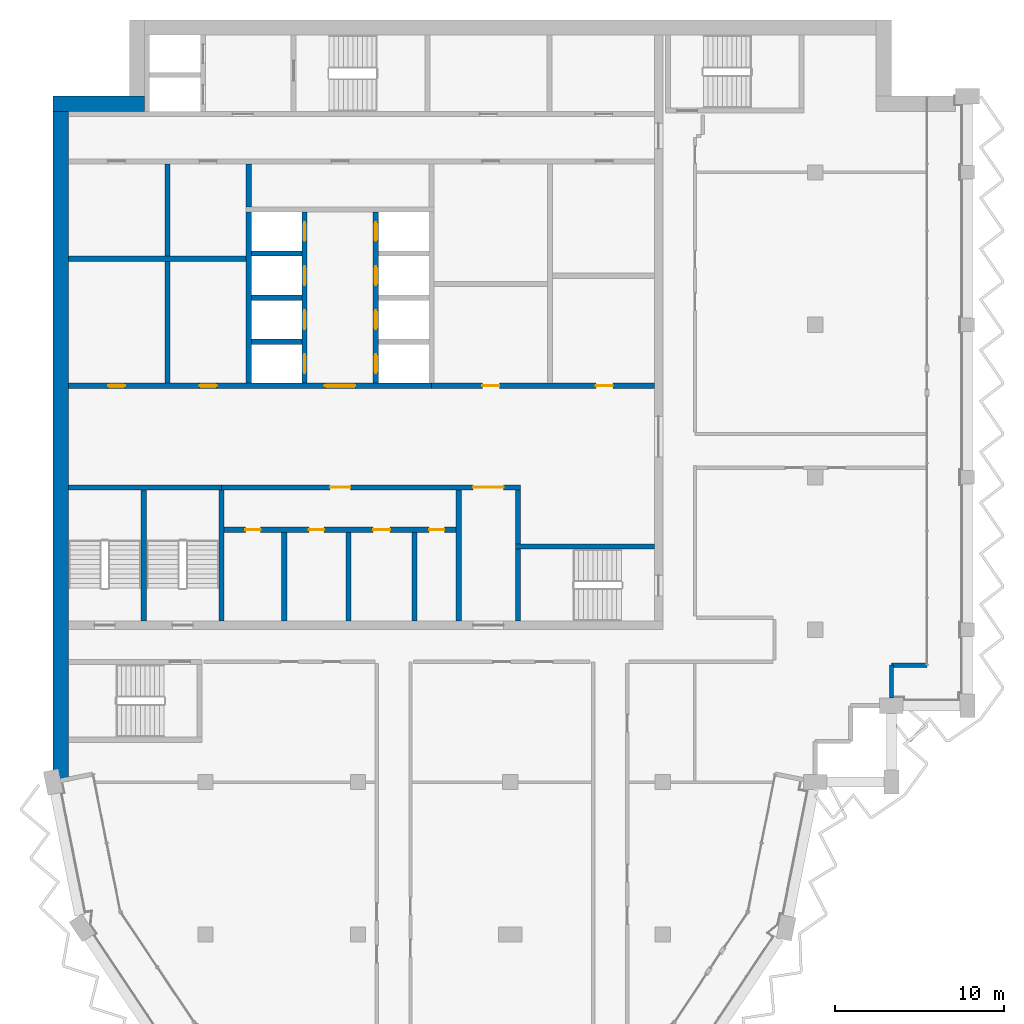
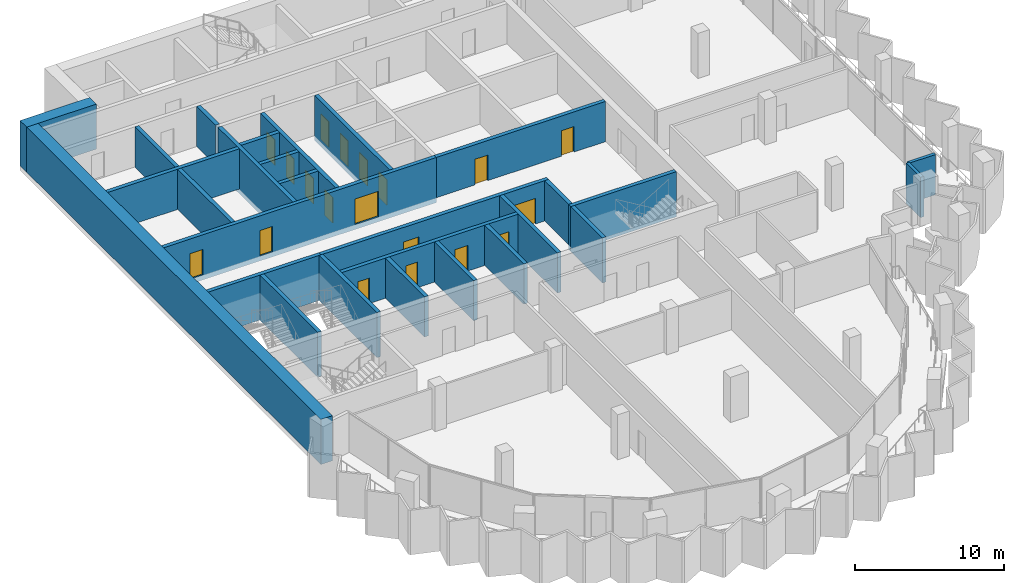
# One storey, part 8 of 14: 27 walls, 19 doors, 19 openings.
"""IFC4 building model written with IfcOpenShell, lengths in metres."""

from ifc_helpers import new_model, si_unit, direction, frame, frame_2d, origin, place, context, subcontext, project, spatial, rectangle, extrude, material, layer, layer_set, type_object, element, fill, save


model = new_model("IFC4")

# Units and contexts
model_context = context("Model", 3, precision=1e-05, world=origin(), true_north=direction((0.0, 1.0)))
body_context = subcontext(model_context, "Body", "Model", "MODEL_VIEW")
ifc_project = project(units=[si_unit("LENGTHUNIT", "METRE"), si_unit("AREAUNIT", "SQUARE_METRE"), si_unit("VOLUMEUNIT", "CUBIC_METRE"), si_unit("PLANEANGLEUNIT", "RADIAN"), si_unit("MASSUNIT", "GRAM", prefix="KILO")], contexts=[model_context])

# Site, building, storey
site_placement = place(None, origin())
site = spatial("IfcSite", under=ifc_project, at=site_placement, CompositionType="ELEMENT")
building_placement = place(site_placement, origin())
building = spatial("IfcBuilding", under=site, at=building_placement, Name="Hunhe Ridgeline Campus", CompositionType="ELEMENT")
storey_placement = place(building_placement, frame((0.0, 0.0, 291.89990234375)))
storey = spatial("IfcBuildingStorey", under=building, at=storey_placement, Name="L75", CompositionType="ELEMENT", Elevation=291.89990234375)

# Wall, openings, doors
ifc_material_1 = material(Name="Masonry concrete blockwork", Category="masonry")
ifc_layer_1 = layer(ifc_material_1, 0.300048828125)
ifc_layer_set_1 = layer_set([ifc_layer_1], Name="Core room partition 300 concrete block")
wall_type_1 = type_object("IfcWallType", Name="Core room partition 300 concrete block", PredefinedType="PARTITIONING", material=ifc_layer_set_1)
wall_1_placement = place(storey_placement, frame((10.10009765625, 68.89990234375, 0.0), z_axis=(0.0, 0.0, 1.0), x_axis=(1.0, 0.0, 0.0)))
wall_1 = element("IfcWall", 1, at=wall_1_placement, inside=storey, type_object=wall_type_1, Name="L75 core partition 5", PredefinedType="PARTITIONING", context=body_context, shape_type="SweptSolid", body=[
    extrude(rectangle(XDim=13.699951171875, YDim=0.300048828125, at=frame_2d((6.85009765625, 0.0))), origin(), (0.0, 0.0, 1.0), 3.300048828125),
])
opening_1_placement = place(wall_1_placement, frame((1.25, 0.0, 0.0)))
opening_1 = element("IfcOpeningElement", 2, at=opening_1_placement, cuts=wall_1, Name="Opening CD8", PredefinedType="OPENING", context=body_context, shape_type="SweptSolid", body=[
    extrude(rectangle(XDim=0.89990234375, YDim=2.10009765625, at=frame_2d((0.449951171875, 1.050048828125))), frame((0.0, 0.14990234375, 0.0), z_axis=(0.0, -1.0, 0.0), x_axis=(1.0, 0.0, 0.0)), (0.0, 0.0, 1.0), 0.300048828125),
])
opening_2_placement = place(wall_1_placement, frame((5.0, 0.0, 0.0)))
opening_2 = element("IfcOpeningElement", 3, at=opening_2_placement, cuts=wall_1, Name="Opening CD9", PredefinedType="OPENING", context=body_context, shape_type="SweptSolid", body=[
    extrude(rectangle(XDim=0.89990234375, YDim=2.10009765625, at=frame_2d((0.449951171875, 1.050048828125))), frame((0.0, 0.14990234375, 0.0), z_axis=(0.0, -1.0, 0.0), x_axis=(1.0, 0.0, 0.0)), (0.0, 0.0, 1.0), 0.300048828125),
])
opening_3_placement = place(wall_1_placement, frame((8.800048828125, 0.0, 0.0)))
opening_3 = element("IfcOpeningElement", 4, at=opening_3_placement, cuts=wall_1, Name="Opening CD10", PredefinedType="OPENING", context=body_context, shape_type="SweptSolid", body=[
    extrude(rectangle(XDim=1.0, YDim=2.10009765625, at=frame_2d((0.5, 1.050048828125))), frame((0.0, 0.14990234375, 0.0), z_axis=(0.0, -1.0, 0.0), x_axis=(1.0, 0.0, 0.0)), (0.0, 0.0, 1.0), 0.300048828125),
])
opening_4_placement = place(wall_1_placement, frame((12.10009765625, 0.0, 0.0)))
opening_4 = element("IfcOpeningElement", 5, at=opening_4_placement, cuts=wall_1, Name="Opening CD11", PredefinedType="OPENING", context=body_context, shape_type="SweptSolid", body=[
    extrude(rectangle(XDim=0.89990234375, YDim=2.10009765625, at=frame_2d((0.449951171875, 1.050048828125))), frame((0.0, 0.14990234375, 0.0), z_axis=(0.0, -1.0, 0.0), x_axis=(1.0, 0.0, 0.0)), (0.0, 0.0, 1.0), 0.300048828125),
])
ifc_material_2 = material(Name="Solid core timber door leaf", Category="wood")
door_type_1 = type_object("IfcDoorType", Name="Timber door 1000x2100", OperationType="SINGLE_SWING_LEFT", PredefinedType="DOOR", material=ifc_material_2)
door_1_placement = place(opening_3_placement, frame((1.0, 0.0, 0.0), z_axis=(0.0, 0.0, 1.0), x_axis=(-1.0, 0.0, 0.0)))
door_1 = element("IfcDoor", 6, at=door_1_placement, inside=storey, type_object=door_type_1, Name="L75 door WC3", OperationType="SINGLE_SWING_LEFT", OverallHeight=2.10009765625, OverallWidth=1.0, PredefinedType="DOOR", context=body_context, shape_type="SweptSolid", body=[
    extrude(rectangle(XDim=1.0, YDim=2.10009765625, at=frame_2d((0.5, 1.050048828125))), frame((0.0, 0.02490234375, 0.0), z_axis=(0.0, -1.0, 0.0), x_axis=(1.0, 0.0, 0.0)), (0.0, 0.0, 1.0), 0.050048828125),
])
fill(opening_3, door_1)
door_type_2 = type_object("IfcDoorType", Name="Timber door 900x2100", OperationType="SINGLE_SWING_LEFT", PredefinedType="DOOR", material=ifc_material_2)
door_2_placement = place(opening_1_placement, frame((0.89990234375, 0.0, 0.0), z_axis=(0.0, 0.0, 1.0), x_axis=(-1.0, 0.0, 0.0)))
door_2 = element("IfcDoor", 7, at=door_2_placement, inside=storey, type_object=door_type_2, Name="L75 door WC1", OperationType="SINGLE_SWING_LEFT", OverallHeight=2.10009765625, OverallWidth=0.89990234375, PredefinedType="DOOR", context=body_context, shape_type="SweptSolid", body=[
    extrude(rectangle(XDim=0.89990234375, YDim=2.10009765625, at=frame_2d((0.449951171875, 1.050048828125))), frame((0.0, 0.02490234375, 0.0), z_axis=(0.0, -1.0, 0.0), x_axis=(1.0, 0.0, 0.0)), (0.0, 0.0, 1.0), 0.050048828125),
])
fill(opening_1, door_2)
door_3_placement = place(opening_2_placement, frame((0.89990234375, 0.0, 0.0), z_axis=(0.0, 0.0, 1.0), x_axis=(-1.0, 0.0, 0.0)))
door_3 = element("IfcDoor", 8, at=door_3_placement, inside=storey, type_object=door_type_2, Name="L75 door WC2", OperationType="SINGLE_SWING_RIGHT", OverallHeight=2.10009765625, OverallWidth=0.89990234375, PredefinedType="DOOR", context=body_context, shape_type="SweptSolid", body=[
    extrude(rectangle(XDim=0.89990234375, YDim=2.10009765625, at=frame_2d((0.449951171875, 1.050048828125))), frame((0.0, 0.02490234375, 0.0), z_axis=(0.0, -1.0, 0.0), x_axis=(1.0, 0.0, 0.0)), (0.0, 0.0, 1.0), 0.050048828125),
])
fill(opening_2, door_3)
door_4_placement = place(opening_4_placement, frame((0.89990234375, 0.0, 0.0), z_axis=(0.0, 0.0, 1.0), x_axis=(-1.0, 0.0, 0.0)))
door_4 = element("IfcDoor", 9, at=door_4_placement, inside=storey, type_object=door_type_2, Name="L75 door WC4", OperationType="SINGLE_SWING_RIGHT", OverallHeight=2.10009765625, OverallWidth=0.89990234375, PredefinedType="DOOR", context=body_context, shape_type="SweptSolid", body=[
    extrude(rectangle(XDim=0.89990234375, YDim=2.10009765625, at=frame_2d((0.449951171875, 1.050048828125))), frame((0.0, 0.02490234375, 0.0), z_axis=(0.0, -1.0, 0.0), x_axis=(1.0, 0.0, 0.0)), (0.0, 0.0, 1.0), 0.050048828125),
])
fill(opening_4, door_4)

wall_2_placement = place(storey_placement, frame((9.949951171875, 71.39990234375, 0.0), z_axis=(0.0, 0.0, 1.0), x_axis=(1.0, 0.0, 0.0)))
wall_2 = element("IfcWall", 10, at=wall_2_placement, inside=storey, type_object=wall_type_1, Name="L75 core partition 7", PredefinedType="PARTITIONING", context=body_context, shape_type="SweptSolid", body=[
    extrude(rectangle(XDim=17.650146484375, YDim=0.300048828125, at=frame_2d((8.8251953125, 0.0))), origin(), (0.0, 0.0, 1.0), 3.300048828125),
])
opening_5_placement = place(wall_2_placement, frame((14.85009765625, 0.0, 0.0)))
opening_5 = element("IfcOpeningElement", 11, at=opening_5_placement, cuts=wall_2, Name="Opening CD7", PredefinedType="OPENING", context=body_context, shape_type="SweptSolid", body=[
    extrude(rectangle(XDim=1.800048828125, YDim=2.10009765625, at=frame_2d((0.89990234375, 1.050048828125))), frame((0.0, 0.14990234375, 0.0), z_axis=(0.0, -1.0, 0.0), x_axis=(1.0, 0.0, 0.0)), (0.0, 0.0, 1.0), 0.300048828125),
])
opening_6_placement = place(wall_2_placement, frame((6.39990234375, 0.0, 0.0)))
opening_6 = element("IfcOpeningElement", 12, at=opening_6_placement, cuts=wall_2, Name="Opening CD37", PredefinedType="OPENING", context=body_context, shape_type="SweptSolid", body=[
    extrude(rectangle(XDim=1.199951171875, YDim=2.10009765625, at=frame_2d((0.60009765625, 1.050048828125))), frame((0.0, 0.14990234375, 0.0), z_axis=(0.0, -1.0, 0.0), x_axis=(1.0, 0.0, 0.0)), (0.0, 0.0, 1.0), 0.300048828125),
])
ifc_material_3 = material(Name="Anodised aluminium and glass", Category="aluminium")
door_type_3 = type_object("IfcDoorType", Name="Glazed double door 1800x2100", OperationType="DOUBLE_DOOR_SINGLE_SWING", PredefinedType="DOOR", material=ifc_material_3)
door_5_placement = place(opening_5_placement, origin())
door_5 = element("IfcDoor", 13, at=door_5_placement, inside=storey, type_object=door_type_3, Name="L75 door VEST-HALL", OperationType="DOUBLE_DOOR_SINGLE_SWING", OverallHeight=2.10009765625, OverallWidth=1.800048828125, PredefinedType="DOOR", context=body_context, shape_type="SweptSolid", body=[
    extrude(rectangle(XDim=1.800048828125, YDim=2.10009765625, at=frame_2d((0.89990234375, 1.050048828125))), frame((0.0, 0.02490234375, 0.0), z_axis=(0.0, -1.0, 0.0), x_axis=(1.0, 0.0, 0.0)), (0.0, 0.0, 1.0), 0.050048828125),
])
fill(opening_5, door_5)
door_type_4 = type_object("IfcDoorType", Name="Timber door 1200x2100", OperationType="SINGLE_SWING_LEFT", PredefinedType="DOOR", material=ifc_material_2)
door_6_placement = place(opening_6_placement, origin())
door_6 = element("IfcDoor", 14, at=door_6_placement, inside=storey, type_object=door_type_4, Name="L75 door WCL1-HALL", OperationType="SINGLE_SWING_RIGHT", OverallHeight=2.10009765625, OverallWidth=1.199951171875, PredefinedType="DOOR", context=body_context, shape_type="SweptSolid", body=[
    extrude(rectangle(XDim=1.199951171875, YDim=2.10009765625, at=frame_2d((0.60009765625, 1.050048828125))), frame((0.0, 0.02490234375, 0.0), z_axis=(0.0, -1.0, 0.0), x_axis=(1.0, 0.0, 0.0)), (0.0, 0.0, 1.0), 0.050048828125),
])
fill(opening_6, door_6)

wall_3_placement = place(storey_placement, frame((22.35009765625, 77.39990234375, 0.0), z_axis=(0.0, 0.0, 1.0), x_axis=(1.0, 0.0, 0.0)))
wall_3 = element("IfcWall", 15, at=wall_3_placement, inside=storey, type_object=wall_type_1, Name="L75 core partition 9", PredefinedType="PARTITIONING", context=body_context, shape_type="SweptSolid", body=[
    extrude(rectangle(XDim=13.14990234375, YDim=0.300048828125, at=frame_2d((6.574951171875, 0.0))), origin(), (0.0, 0.0, 1.0), 3.300048828125),
])
opening_7_placement = place(wall_3_placement, frame((3.0, 0.0, 0.0)))
opening_7 = element("IfcOpeningElement", 16, at=opening_7_placement, cuts=wall_3, Name="Opening CD32", PredefinedType="OPENING", context=body_context, shape_type="SweptSolid", body=[
    extrude(rectangle(XDim=1.0, YDim=2.10009765625, at=frame_2d((0.5, 1.050048828125))), frame((0.0, 0.14990234375, 0.0), z_axis=(0.0, -1.0, 0.0), x_axis=(1.0, 0.0, 0.0)), (0.0, 0.0, 1.0), 0.300048828125),
])
opening_8_placement = place(wall_3_placement, frame((9.699951171875, 0.0, 0.0)))
opening_8 = element("IfcOpeningElement", 17, at=opening_8_placement, cuts=wall_3, Name="Opening CD42", PredefinedType="OPENING", context=body_context, shape_type="SweptSolid", body=[
    extrude(rectangle(XDim=1.0, YDim=2.10009765625, at=frame_2d((0.5, 1.050048828125))), frame((0.0, 0.14990234375, 0.0), z_axis=(0.0, -1.0, 0.0), x_axis=(1.0, 0.0, 0.0)), (0.0, 0.0, 1.0), 0.300048828125),
])
door_7_placement = place(opening_7_placement, origin())
door_7 = element("IfcDoor", 18, at=door_7_placement, inside=storey, type_object=door_type_1, Name="L75 door ES0", OperationType="SINGLE_SWING_RIGHT", OverallHeight=2.10009765625, OverallWidth=1.0, PredefinedType="DOOR", context=body_context, shape_type="SweptSolid", body=[
    extrude(rectangle(XDim=1.0, YDim=2.10009765625, at=frame_2d((0.5, 1.050048828125))), frame((0.0, 0.02490234375, 0.0), z_axis=(0.0, -1.0, 0.0), x_axis=(1.0, 0.0, 0.0)), (0.0, 0.0, 1.0), 0.050048828125),
])
fill(opening_7, door_7)
door_8_placement = place(opening_8_placement, origin())
door_8 = element("IfcDoor", 19, at=door_8_placement, inside=storey, type_object=door_type_1, Name="L75 door ES2", OperationType="SINGLE_SWING_RIGHT", OverallHeight=2.10009765625, OverallWidth=1.0, PredefinedType="DOOR", context=body_context, shape_type="SweptSolid", body=[
    extrude(rectangle(XDim=1.0, YDim=2.10009765625, at=frame_2d((0.5, 1.050048828125))), frame((0.0, 0.02490234375, 0.0), z_axis=(0.0, -1.0, 0.0), x_axis=(1.0, 0.0, 0.0)), (0.0, 0.0, 1.0), 0.050048828125),
])
fill(opening_8, door_8)

# Walls
wall_4_placement = place(storey_placement, frame((0.89990234375, 84.89990234375, 0.0), z_axis=(0.0, 0.0, 1.0), x_axis=(1.0, 0.0, 0.0)))
element("IfcWall", 20, at=wall_4_placement, inside=storey, type_object=wall_type_1, Name="L75 core partition 16", PredefinedType="PARTITIONING", context=body_context, shape_type="SweptSolid", body=[
    extrude(rectangle(XDim=10.5, YDim=0.300048828125, at=frame_2d((5.25, 0.0))), origin(), (0.0, 0.0, 1.0), 3.300048828125),
])
wall_5_placement = place(storey_placement, frame((6.75, 77.550048828125, 0.0), z_axis=(0.0, 0.0, 1.0), x_axis=(0.0, 1.0, 0.0)))
element("IfcWall", 21, at=wall_5_placement, inside=storey, type_object=wall_type_1, Name="L75 core partition 26", PredefinedType="PARTITIONING", context=body_context, shape_type="SweptSolid", body=[
    extrude(rectangle(XDim=12.949951171875, YDim=0.300048828125, at=frame_2d((6.47509765625, 0.0))), origin(), (0.0, 0.0, 1.0), 3.300048828125),
])
wall_6_placement = place(storey_placement, frame((11.550048828125, 87.949951171875, 0.0), z_axis=(0.0, 0.0, 1.0), x_axis=(0.0, 1.0, 0.0)))
element("IfcWall", 22, at=wall_6_placement, inside=storey, type_object=wall_type_1, Name="L75 core partition 31", PredefinedType="PARTITIONING", context=body_context, shape_type="SweptSolid", body=[
    extrude(rectangle(XDim=2.550048828125, YDim=0.300048828125, at=frame_2d((1.27490234375, 0.0))), origin(), (0.0, 0.0, 1.0), 3.300048828125),
])
for number, where, z_axis, x_axis, name in (
    (23, (13.64990234375, 63.5, 0.0), (0.0, 0.0, 1.0), (0.0, 1.0, 0.0), "L75 core partition 32"),
    (24, (17.449951171875, 63.5, 0.0), (0.0, 0.0, 1.0), (0.0, 1.0, 0.0), "L75 core partition 35"),
    (25, (21.35009765625, 63.5, 0.0), (0.0, 0.0, 1.0), (0.0, 1.0, 0.0), "L75 core partition 37"),
):
    element("IfcWall", number, at=place(storey_placement, frame(where, z_axis=z_axis, x_axis=x_axis)), inside=storey, type_object=wall_type_1, Name=name, PredefinedType="PARTITIONING", context=body_context, shape_type="SweptSolid", body=[
        extrude(rectangle(XDim=5.25, YDim=0.300048828125, at=frame_2d((2.625, 0.0))), origin(), (0.0, 0.0, 1.0), 3.300048828125),
    ])
wall_7_placement = place(storey_placement, frame((23.949951171875, 63.5, 0.0), z_axis=(0.0, 0.0, 1.0), x_axis=(0.0, 1.0, 0.0)))
element("IfcWall", 26, at=wall_7_placement, inside=storey, type_object=wall_type_1, Name="L75 core partition 41", PredefinedType="PARTITIONING", context=body_context, shape_type="SweptSolid", body=[
    extrude(rectangle(XDim=7.75, YDim=0.300048828125, at=frame_2d((3.875, 0.0))), origin(), (0.0, 0.0, 1.0), 3.300048828125),
])
wall_8_placement = place(storey_placement, frame((27.449951171875, 68.050048828125, 0.0), z_axis=(0.0, 0.0, 1.0), x_axis=(0.0, 1.0, 0.0)))
element("IfcWall", 27, at=wall_8_placement, inside=storey, type_object=wall_type_1, Name="L75 core partition 43", PredefinedType="PARTITIONING", context=body_context, shape_type="SweptSolid", body=[
    extrude(rectangle(XDim=3.199951171875, YDim=0.300048828125, at=frame_2d((1.60009765625, 0.0))), origin(), (0.0, 0.0, 1.0), 3.300048828125),
])
ifc_material_4 = material(Name="Concrete C30", Category="concrete")
ifc_layer_2 = layer(ifc_material_4, 0.25)
ifc_layer_set_2 = layer_set([ifc_layer_2], Name="Corner return wall 250 Concrete C30")
wall_type_2 = type_object("IfcWallType", Name="Corner return wall 250 Concrete C30", PredefinedType="SOLIDWALL", material=ifc_layer_set_2)
wall_9_placement = place(storey_placement, frame((49.4990234375, 58.949951171875, 0.0), z_axis=(0.0, 0.0, 1.0), x_axis=(0.000250281559, 0.99999996868, 0.0)))
element("IfcWall", 28, at=wall_9_placement, inside=storey, type_object=wall_type_2, Name="Corner return wall 7", PredefinedType="SOLIDWALL", context=body_context, shape_type="SweptSolid", body=[
    extrude(rectangle(XDim=1.950927734375, YDim=0.25, at=frame_2d((0.9755859375, 0.0))), origin(), (0.0, 0.0, 1.0), 3.300048828125),
])
wall_10_placement = place(storey_placement, frame((49.49951171875, 60.90087890625, 0.0), z_axis=(0.0, 0.0, 1.0), x_axis=(1.0, 0.0, 0.0)))
element("IfcWall", 29, at=wall_10_placement, inside=storey, type_object=wall_type_2, Name="Corner return wall 8", PredefinedType="SOLIDWALL", context=body_context, shape_type="SweptSolid", body=[
    extrude(rectangle(XDim=2.099609375, YDim=0.25, at=frame_2d((1.0498046875, 0.0))), origin(), (0.0, 0.0, 1.0), 3.300048828125),
])

# Wall, openings, doors
ifc_material_5 = material(Name="Concrete C50", Category="concrete")
ifc_layer_3 = layer(ifc_material_5, 0.300048828125)
ifc_layer_set_3 = layer_set([ifc_layer_3], Name="Shaft wall 300 reinforced concrete C50")
wall_type_3 = type_object("IfcWallType", Name="Shaft wall 300 reinforced concrete C50", PredefinedType="SOLIDWALL", material=ifc_layer_set_3)
wall_11_placement = place(storey_placement, frame((0.89990234375, 77.39990234375, -0.39990234375), z_axis=(0.0, 0.0, 1.0), x_axis=(1.0, 0.0, 0.0)))
wall_11 = element("IfcWall", 30, at=wall_11_placement, inside=storey, type_object=wall_type_3, Name="L75 core wall 8", PredefinedType="SOLIDWALL", context=body_context, shape_type="SweptSolid", body=[
    extrude(rectangle(XDim=21.4501953125, YDim=0.300048828125, at=frame_2d((10.72509765625, 0.0))), origin(), (0.0, 0.0, 1.0), 3.699951171875),
])
opening_9_placement = place(wall_11_placement, frame((15.14990234375, 0.0, 0.39990234375)))
opening_9 = element("IfcOpeningElement", 31, at=opening_9_placement, cuts=wall_11, Name="Opening CD38", PredefinedType="OPENING", context=body_context, shape_type="SweptSolid", body=[
    extrude(rectangle(XDim=1.800048828125, YDim=2.10009765625, at=frame_2d((0.89990234375, 1.050048828125))), frame((0.0, 0.14990234375, 0.0), z_axis=(0.0, -1.0, 0.0), x_axis=(1.0, 0.0, 0.0)), (0.0, 0.0, 1.0), 0.300048828125),
])
opening_10_placement = place(wall_11_placement, frame((2.35009765625, 0.0, 0.39990234375)))
opening_10 = element("IfcOpeningElement", 32, at=opening_10_placement, cuts=wall_11, Name="Opening CD39", PredefinedType="OPENING", context=body_context, shape_type="SweptSolid", body=[
    extrude(rectangle(XDim=1.0, YDim=2.10009765625, at=frame_2d((0.5, 1.050048828125))), frame((0.0, 0.14990234375, 0.0), z_axis=(0.0, -1.0, 0.0), x_axis=(1.0, 0.0, 0.0)), (0.0, 0.0, 1.0), 0.300048828125),
])
opening_11_placement = place(wall_11_placement, frame((7.75, 0.0, 0.39990234375)))
opening_11 = element("IfcOpeningElement", 33, at=opening_11_placement, cuts=wall_11, Name="Opening CD41", PredefinedType="OPENING", context=body_context, shape_type="SweptSolid", body=[
    extrude(rectangle(XDim=1.0, YDim=2.10009765625, at=frame_2d((0.5, 1.050048828125))), frame((0.0, 0.14990234375, 0.0), z_axis=(0.0, -1.0, 0.0), x_axis=(1.0, 0.0, 0.0)), (0.0, 0.0, 1.0), 0.300048828125),
])
ifc_material_6 = material(Name="Hollow metal fire door leaf")
door_type_5 = type_object("IfcDoorType", Name="Lobby door 1800x2100 FD60", OperationType="SINGLE_SWING_LEFT", PredefinedType="DOOR", material=ifc_material_6)
door_9_placement = place(opening_9_placement, frame((1.800048828125, 0.0, 0.0), z_axis=(0.0, 0.0, 1.0), x_axis=(-1.0, 0.0, 0.0)))
door_9 = element("IfcDoor", 34, at=door_9_placement, inside=storey, type_object=door_type_5, Name="L75 door LOB-HR", OperationType="SINGLE_SWING_RIGHT", OverallHeight=2.10009765625, OverallWidth=1.800048828125, PredefinedType="DOOR", context=body_context, shape_type="SweptSolid", body=[
    extrude(rectangle(XDim=1.800048828125, YDim=2.10009765625, at=frame_2d((0.89990234375, 1.050048828125))), frame((0.0, 0.02490234375, 0.0), z_axis=(0.0, -1.0, 0.0), x_axis=(1.0, 0.0, 0.0)), (0.0, 0.0, 1.0), 0.050048828125),
])
fill(opening_9, door_9)
door_10_placement = place(opening_10_placement, origin())
door_10 = element("IfcDoor", 35, at=door_10_placement, inside=storey, type_object=door_type_1, Name="L75 door VD-LR0", OperationType="SINGLE_SWING_LEFT", OverallHeight=2.10009765625, OverallWidth=1.0, PredefinedType="DOOR", context=body_context, shape_type="SweptSolid", body=[
    extrude(rectangle(XDim=1.0, YDim=2.10009765625, at=frame_2d((0.5, 1.050048828125))), frame((0.0, 0.02490234375, 0.0), z_axis=(0.0, -1.0, 0.0), x_axis=(1.0, 0.0, 0.0)), (0.0, 0.0, 1.0), 0.050048828125),
])
fill(opening_10, door_10)
door_11_placement = place(opening_11_placement, origin())
door_11 = element("IfcDoor", 36, at=door_11_placement, inside=storey, type_object=door_type_1, Name="L75 door VD-LR2", OperationType="SINGLE_SWING_LEFT", OverallHeight=2.10009765625, OverallWidth=1.0, PredefinedType="DOOR", context=body_context, shape_type="SweptSolid", body=[
    extrude(rectangle(XDim=1.0, YDim=2.10009765625, at=frame_2d((0.5, 1.050048828125))), frame((0.0, 0.02490234375, 0.0), z_axis=(0.0, -1.0, 0.0), x_axis=(1.0, 0.0, 0.0)), (0.0, 0.0, 1.0), 0.050048828125),
])
fill(opening_11, door_11)

# Walls
for number, where, z_axis, x_axis, name in (
    (37, (11.699951171875, 80.0, -0.39990234375), (0.0, 0.0, 1.0), (1.0, 0.0, 0.0), "L75 core wall 10"),
    (38, (11.699951171875, 82.60009765625, -0.39990234375), (0.0, 0.0, 1.0), (1.0, 0.0, 0.0), "L75 core wall 12"),
    (39, (11.699951171875, 85.199951171875, -0.39990234375), (0.0, 0.0, 1.0), (1.0, 0.0, 0.0), "L75 core wall 17"),
):
    element("IfcWall", number, at=place(storey_placement, frame(where, z_axis=z_axis, x_axis=x_axis)), inside=storey, type_object=wall_type_3, Name=name, PredefinedType="SOLIDWALL", context=body_context, shape_type="SweptSolid", body=[
        extrude(rectangle(XDim=3.0, YDim=0.300048828125, at=frame_2d((1.5, 0.0))), origin(), (0.0, 0.0, 1.0), 3.699951171875),
    ])
wall_12_placement = place(storey_placement, frame((11.550048828125, 77.550048828125, -0.39990234375), z_axis=(0.0, 0.0, 1.0), x_axis=(0.0, 1.0, 0.0)))
element("IfcWall", 40, at=wall_12_placement, inside=storey, type_object=wall_type_3, Name="L75 core wall 30", PredefinedType="SOLIDWALL", context=body_context, shape_type="SweptSolid", body=[
    extrude(rectangle(XDim=10.099853515625, YDim=0.300048828125, at=frame_2d((5.0498046875, 0.0))), origin(), (0.0, 0.0, 1.0), 3.699951171875),
])

# Wall, openings, doors
wall_13_placement = place(storey_placement, frame((14.85009765625, 77.550048828125, -0.39990234375), z_axis=(0.0, 0.0, 1.0), x_axis=(0.0, 1.0, 0.0)))
wall_13 = element("IfcWall", 41, at=wall_13_placement, inside=storey, type_object=wall_type_3, Name="L75 core wall 34", PredefinedType="SOLIDWALL", context=body_context, shape_type="SweptSolid", body=[
    extrude(rectangle(XDim=10.099853515625, YDim=0.300048828125, at=frame_2d((5.0498046875, 0.0))), origin(), (0.0, 0.0, 1.0), 3.699951171875),
])
opening_12_placement = place(wall_13_placement, frame((0.60009765625, 0.0, 0.39990234375)))
opening_12 = element("IfcOpeningElement", 42, at=opening_12_placement, cuts=wall_13, Name="Opening LD-HR1", PredefinedType="OPENING", context=body_context, shape_type="SweptSolid", body=[
    extrude(rectangle(XDim=1.10009765625, YDim=2.10009765625, at=frame_2d((0.550048828125, 1.050048828125))), frame((0.0, 0.14990234375, 0.0), z_axis=(0.0, -1.0, 0.0), x_axis=(1.0, 0.0, 0.0)), (0.0, 0.0, 1.0), 0.300048828125),
])
opening_13_placement = place(wall_13_placement, frame((3.199951171875, 0.0, 0.39990234375)))
opening_13 = element("IfcOpeningElement", 43, at=opening_13_placement, cuts=wall_13, Name="Opening LD-HR2", PredefinedType="OPENING", context=body_context, shape_type="SweptSolid", body=[
    extrude(rectangle(XDim=1.10009765625, YDim=2.10009765625, at=frame_2d((0.550048828125, 1.050048828125))), frame((0.0, 0.14990234375, 0.0), z_axis=(0.0, -1.0, 0.0), x_axis=(1.0, 0.0, 0.0)), (0.0, 0.0, 1.0), 0.300048828125),
])
opening_14_placement = place(wall_13_placement, frame((5.800048828125, 0.0, 0.39990234375)))
opening_14 = element("IfcOpeningElement", 44, at=opening_14_placement, cuts=wall_13, Name="Opening LD-HR3", PredefinedType="OPENING", context=body_context, shape_type="SweptSolid", body=[
    extrude(rectangle(XDim=1.10009765625, YDim=2.10009765625, at=frame_2d((0.550048828125, 1.050048828125))), frame((0.0, 0.14990234375, 0.0), z_axis=(0.0, -1.0, 0.0), x_axis=(1.0, 0.0, 0.0)), (0.0, 0.0, 1.0), 0.300048828125),
])
opening_15_placement = place(wall_13_placement, frame((8.39990234375, 0.0, 0.39990234375)))
opening_15 = element("IfcOpeningElement", 45, at=opening_15_placement, cuts=wall_13, Name="Opening LD-HR4", PredefinedType="OPENING", context=body_context, shape_type="SweptSolid", body=[
    extrude(rectangle(XDim=1.10009765625, YDim=2.10009765625, at=frame_2d((0.550048828125, 1.050048828125))), frame((0.0, 0.14990234375, 0.0), z_axis=(0.0, -1.0, 0.0), x_axis=(1.0, 0.0, 0.0)), (0.0, 0.0, 1.0), 0.300048828125),
])
ifc_material_7 = material(Name="Stainless steel sliding leaves", Category="steel")
door_type_6 = type_object("IfcDoorType", Name="Landing door 1100x2100 FD120", OperationType="SLIDING_TO_LEFT", PredefinedType="DOOR", material=ifc_material_7)
door_12_placement = place(opening_12_placement, origin())
door_12 = element("IfcDoor", 46, at=door_12_placement, inside=storey, type_object=door_type_6, Name="L75 landing door HR1", OperationType="SLIDING_TO_RIGHT", OverallHeight=2.10009765625, OverallWidth=1.10009765625, PredefinedType="DOOR", context=body_context, shape_type="SweptSolid", body=[
    extrude(rectangle(XDim=1.10009765625, YDim=2.10009765625, at=frame_2d((0.550048828125, 1.050048828125))), frame((0.0, 0.02490234375, 0.0), z_axis=(0.0, -1.0, 0.0), x_axis=(1.0, 0.0, 0.0)), (0.0, 0.0, 1.0), 0.050048828125),
])
fill(opening_12, door_12)
door_13_placement = place(opening_13_placement, origin())
door_13 = element("IfcDoor", 47, at=door_13_placement, inside=storey, type_object=door_type_6, Name="L75 landing door HR2", OperationType="SLIDING_TO_LEFT", OverallHeight=2.10009765625, OverallWidth=1.10009765625, PredefinedType="DOOR", context=body_context, shape_type="SweptSolid", body=[
    extrude(rectangle(XDim=1.10009765625, YDim=2.10009765625, at=frame_2d((0.550048828125, 1.050048828125))), frame((0.0, 0.02490234375, 0.0), z_axis=(0.0, -1.0, 0.0), x_axis=(1.0, 0.0, 0.0)), (0.0, 0.0, 1.0), 0.050048828125),
])
fill(opening_13, door_13)
door_14_placement = place(opening_14_placement, origin())
door_14 = element("IfcDoor", 48, at=door_14_placement, inside=storey, type_object=door_type_6, Name="L75 landing door HR3", OperationType="SLIDING_TO_RIGHT", OverallHeight=2.10009765625, OverallWidth=1.10009765625, PredefinedType="DOOR", context=body_context, shape_type="SweptSolid", body=[
    extrude(rectangle(XDim=1.10009765625, YDim=2.10009765625, at=frame_2d((0.550048828125, 1.050048828125))), frame((0.0, 0.02490234375, 0.0), z_axis=(0.0, -1.0, 0.0), x_axis=(1.0, 0.0, 0.0)), (0.0, 0.0, 1.0), 0.050048828125),
])
fill(opening_14, door_14)
door_15_placement = place(opening_15_placement, origin())
door_15 = element("IfcDoor", 49, at=door_15_placement, inside=storey, type_object=door_type_6, Name="L75 landing door HR4", OperationType="SLIDING_TO_LEFT", OverallHeight=2.10009765625, OverallWidth=1.10009765625, PredefinedType="DOOR", context=body_context, shape_type="SweptSolid", body=[
    extrude(rectangle(XDim=1.10009765625, YDim=2.10009765625, at=frame_2d((0.550048828125, 1.050048828125))), frame((0.0, 0.02490234375, 0.0), z_axis=(0.0, -1.0, 0.0), x_axis=(1.0, 0.0, 0.0)), (0.0, 0.0, 1.0), 0.050048828125),
])
fill(opening_15, door_15)

wall_14_placement = place(storey_placement, frame((19.050048828125, 77.550048828125, -0.39990234375), z_axis=(0.0, 0.0, 1.0), x_axis=(0.0, 1.0, 0.0)))
wall_14 = element("IfcWall", 50, at=wall_14_placement, inside=storey, type_object=wall_type_3, Name="L75 core wall 36", PredefinedType="SOLIDWALL", context=body_context, shape_type="SweptSolid", body=[
    extrude(rectangle(XDim=10.099853515625, YDim=0.300048828125, at=frame_2d((5.0498046875, 0.0))), origin(), (0.0, 0.0, 1.0), 3.699951171875),
])
opening_16_placement = place(wall_14_placement, frame((0.60009765625, 0.0, 0.39990234375)))
opening_16 = element("IfcOpeningElement", 51, at=opening_16_placement, cuts=wall_14, Name="Opening LD-HR5", PredefinedType="OPENING", context=body_context, shape_type="SweptSolid", body=[
    extrude(rectangle(XDim=1.10009765625, YDim=2.10009765625, at=frame_2d((0.550048828125, 1.050048828125))), frame((0.0, 0.14990234375, 0.0), z_axis=(0.0, -1.0, 0.0), x_axis=(1.0, 0.0, 0.0)), (0.0, 0.0, 1.0), 0.300048828125),
])
opening_17_placement = place(wall_14_placement, frame((3.199951171875, 0.0, 0.39990234375)))
opening_17 = element("IfcOpeningElement", 52, at=opening_17_placement, cuts=wall_14, Name="Opening LD-HR6", PredefinedType="OPENING", context=body_context, shape_type="SweptSolid", body=[
    extrude(rectangle(XDim=1.10009765625, YDim=2.10009765625, at=frame_2d((0.550048828125, 1.050048828125))), frame((0.0, 0.14990234375, 0.0), z_axis=(0.0, -1.0, 0.0), x_axis=(1.0, 0.0, 0.0)), (0.0, 0.0, 1.0), 0.300048828125),
])
opening_18_placement = place(wall_14_placement, frame((5.800048828125, 0.0, 0.39990234375)))
opening_18 = element("IfcOpeningElement", 53, at=opening_18_placement, cuts=wall_14, Name="Opening LD-HR7", PredefinedType="OPENING", context=body_context, shape_type="SweptSolid", body=[
    extrude(rectangle(XDim=1.10009765625, YDim=2.10009765625, at=frame_2d((0.550048828125, 1.050048828125))), frame((0.0, 0.14990234375, 0.0), z_axis=(0.0, -1.0, 0.0), x_axis=(1.0, 0.0, 0.0)), (0.0, 0.0, 1.0), 0.300048828125),
])
opening_19_placement = place(wall_14_placement, frame((8.39990234375, 0.0, 0.39990234375)))
opening_19 = element("IfcOpeningElement", 54, at=opening_19_placement, cuts=wall_14, Name="Opening LD-HR8", PredefinedType="OPENING", context=body_context, shape_type="SweptSolid", body=[
    extrude(rectangle(XDim=1.10009765625, YDim=2.10009765625, at=frame_2d((0.550048828125, 1.050048828125))), frame((0.0, 0.14990234375, 0.0), z_axis=(0.0, -1.0, 0.0), x_axis=(1.0, 0.0, 0.0)), (0.0, 0.0, 1.0), 0.300048828125),
])
door_16_placement = place(opening_16_placement, origin())
door_16 = element("IfcDoor", 55, at=door_16_placement, inside=storey, type_object=door_type_6, Name="L75 landing door HR5", OperationType="SLIDING_TO_RIGHT", OverallHeight=2.10009765625, OverallWidth=1.10009765625, PredefinedType="DOOR", context=body_context, shape_type="SweptSolid", body=[
    extrude(rectangle(XDim=1.10009765625, YDim=2.10009765625, at=frame_2d((0.550048828125, 1.050048828125))), frame((0.0, 0.02490234375, 0.0), z_axis=(0.0, -1.0, 0.0), x_axis=(1.0, 0.0, 0.0)), (0.0, 0.0, 1.0), 0.050048828125),
])
fill(opening_16, door_16)
door_17_placement = place(opening_17_placement, origin())
door_17 = element("IfcDoor", 56, at=door_17_placement, inside=storey, type_object=door_type_6, Name="L75 landing door HR6", OperationType="SLIDING_TO_LEFT", OverallHeight=2.10009765625, OverallWidth=1.10009765625, PredefinedType="DOOR", context=body_context, shape_type="SweptSolid", body=[
    extrude(rectangle(XDim=1.10009765625, YDim=2.10009765625, at=frame_2d((0.550048828125, 1.050048828125))), frame((0.0, 0.02490234375, 0.0), z_axis=(0.0, -1.0, 0.0), x_axis=(1.0, 0.0, 0.0)), (0.0, 0.0, 1.0), 0.050048828125),
])
fill(opening_17, door_17)
door_18_placement = place(opening_18_placement, origin())
door_18 = element("IfcDoor", 57, at=door_18_placement, inside=storey, type_object=door_type_6, Name="L75 landing door HR7", OperationType="SLIDING_TO_RIGHT", OverallHeight=2.10009765625, OverallWidth=1.10009765625, PredefinedType="DOOR", context=body_context, shape_type="SweptSolid", body=[
    extrude(rectangle(XDim=1.10009765625, YDim=2.10009765625, at=frame_2d((0.550048828125, 1.050048828125))), frame((0.0, 0.02490234375, 0.0), z_axis=(0.0, -1.0, 0.0), x_axis=(1.0, 0.0, 0.0)), (0.0, 0.0, 1.0), 0.050048828125),
])
fill(opening_18, door_18)
door_19_placement = place(opening_19_placement, origin())
door_19 = element("IfcDoor", 58, at=door_19_placement, inside=storey, type_object=door_type_6, Name="L75 landing door HR8", OperationType="SLIDING_TO_LEFT", OverallHeight=2.10009765625, OverallWidth=1.10009765625, PredefinedType="DOOR", context=body_context, shape_type="SweptSolid", body=[
    extrude(rectangle(XDim=1.10009765625, YDim=2.10009765625, at=frame_2d((0.550048828125, 1.050048828125))), frame((0.0, 0.02490234375, 0.0), z_axis=(0.0, -1.0, 0.0), x_axis=(1.0, 0.0, 0.0)), (0.0, 0.0, 1.0), 0.050048828125),
])
fill(opening_19, door_19)

# Walls
ifc_layer_4 = layer(ifc_material_5, 0.89990234375)
ifc_layer_set_4 = layer_set([ifc_layer_4], Name="Spine wall 900 Concrete C50")
wall_type_4 = type_object("IfcWallType", Name="Spine wall 900 Concrete C50", PredefinedType="SHEAR", material=ifc_layer_set_4)
wall_15_placement = place(storey_placement, frame((0.449951171875, 94.5, 0.0), z_axis=(0.0, 0.0, 1.0), x_axis=(0.0, -1.0, 0.0)))
element("IfcWall", 59, at=wall_15_placement, inside=storey, type_object=wall_type_4, Name="Spine wall SW4-1 L75", PredefinedType="SHEAR", context=body_context, shape_type="SweptSolid", body=[
    extrude(rectangle(XDim=40.45556640625, YDim=0.89990234375, at=frame_2d((20.227783203125, 0.0))), origin(), (0.0, 0.0, 1.0), 3.7001953125),
])
wall_16_placement = place(storey_placement, frame((5.400146484375, 94.050048828125, 0.0), z_axis=(0.0, 0.0, 1.0), x_axis=(-1.0, 0.0, 0.0)))
element("IfcWall", 60, at=wall_16_placement, inside=storey, type_object=wall_type_4, Name="Spine wall SW4-6 L75", PredefinedType="SHEAR", context=body_context, shape_type="SweptSolid", body=[
    extrude(rectangle(XDim=5.400146484375, YDim=0.89990234375, at=frame_2d((2.7001953125, 0.0))), origin(), (0.0, 0.0, 1.0), 3.7001953125),
])
ifc_layer_5 = layer(ifc_material_5, 0.300048828125)
ifc_layer_set_5 = layer_set([ifc_layer_5], Name="Stair wall 300 reinforced concrete C50")
wall_type_5 = type_object("IfcWallType", Name="Stair wall 300 reinforced concrete C50", PredefinedType="SOLIDWALL", material=ifc_layer_set_5)
wall_17_placement = place(storey_placement, frame((27.300048828125, 67.89990234375, -0.39990234375), z_axis=(0.0, 0.0, 1.0), x_axis=(1.0, 0.0, 0.0)))
element("IfcWall", 61, at=wall_17_placement, inside=storey, type_object=wall_type_5, Name="L75 core wall 4", PredefinedType="SOLIDWALL", context=body_context, shape_type="SweptSolid", body=[
    extrude(rectangle(XDim=8.199951171875, YDim=0.300048828125, at=frame_2d((4.10009765625, 0.0))), origin(), (0.0, 0.0, 1.0), 3.699951171875),
])
wall_18_placement = place(storey_placement, frame((0.89990234375, 71.39990234375, -0.39990234375), z_axis=(0.0, 0.0, 1.0), x_axis=(1.0, 0.0, 0.0)))
element("IfcWall", 62, at=wall_18_placement, inside=storey, type_object=wall_type_5, Name="L75 core wall 6", PredefinedType="SOLIDWALL", context=body_context, shape_type="SweptSolid", body=[
    extrude(rectangle(XDim=9.050048828125, YDim=0.300048828125, at=frame_2d((4.52490234375, 0.0))), origin(), (0.0, 0.0, 1.0), 3.699951171875),
])
for number, where, z_axis, x_axis, name in (
    (63, (5.35009765625, 63.5, -0.39990234375), (0.0, 0.0, 1.0), (0.0, 1.0, 0.0), "L75 core wall 24"),
    (64, (9.949951171875, 63.5, -0.39990234375), (0.0, 0.0, 1.0), (0.0, 1.0, 0.0), "L75 core wall 29"),
):
    element("IfcWall", number, at=place(storey_placement, frame(where, z_axis=z_axis, x_axis=x_axis)), inside=storey, type_object=wall_type_5, Name=name, PredefinedType="SOLIDWALL", context=body_context, shape_type="SweptSolid", body=[
        extrude(rectangle(XDim=7.75, YDim=0.300048828125, at=frame_2d((3.875, 0.0))), origin(), (0.0, 0.0, 1.0), 3.699951171875),
    ])
wall_19_placement = place(storey_placement, frame((27.449951171875, 63.5, -0.39990234375), z_axis=(0.0, 0.0, 1.0), x_axis=(0.0, 1.0, 0.0)))
element("IfcWall", 65, at=wall_19_placement, inside=storey, type_object=wall_type_5, Name="L75 core wall 42", PredefinedType="SOLIDWALL", context=body_context, shape_type="SweptSolid", body=[
    extrude(rectangle(XDim=4.25, YDim=0.300048828125, at=frame_2d((2.125, 0.0))), origin(), (0.0, 0.0, 1.0), 3.699951171875),
])

save(model, "model.ifc")
